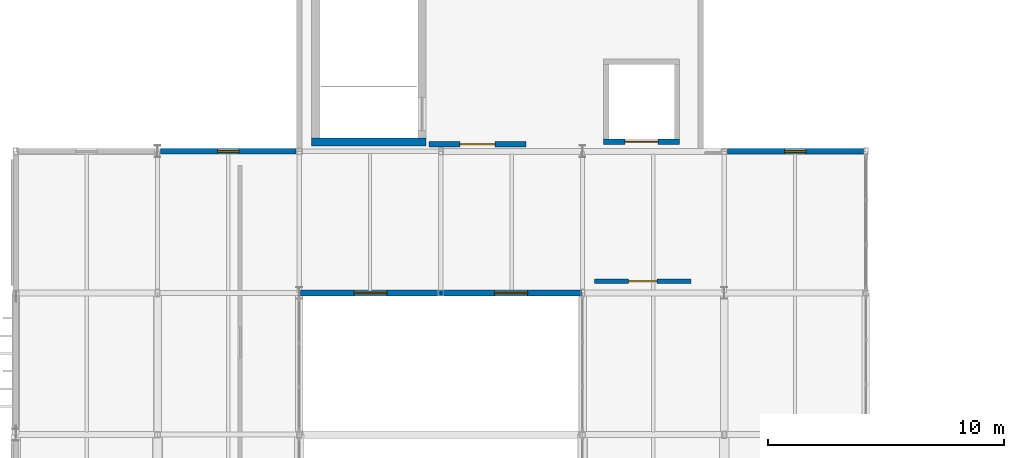
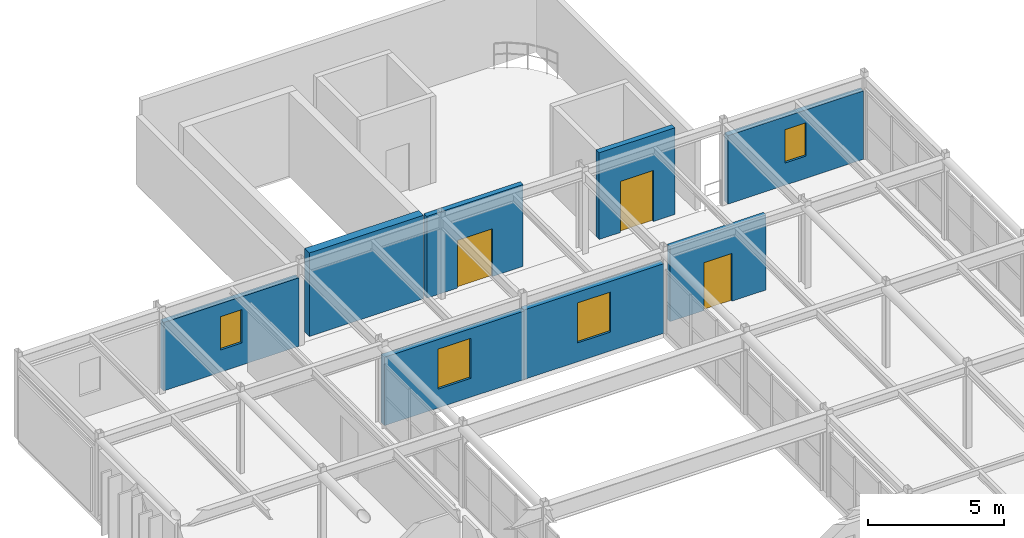
# One storey, part 48 of 63: 8 walls, 4 windows, 3 doors, 7 openings.
"""IFC4 building model written with IfcOpenShell, lengths in metres."""

from ifc_helpers import new_model, si_unit, direction, frame, frame_2d, origin, place, context, subcontext, project, spatial, rectangle, extrude, material, layer, layer_set, type_object, element, fill, save


model = new_model("IFC4")

# Units and contexts
model_context = context("Model", 3, precision=1e-05, world=origin(), true_north=direction((0.0, 1.0)))
body_context = subcontext(model_context, "Body", "Model", "MODEL_VIEW")
ifc_project = project(units=[si_unit("LENGTHUNIT", "METRE"), si_unit("AREAUNIT", "SQUARE_METRE"), si_unit("VOLUMEUNIT", "CUBIC_METRE"), si_unit("PLANEANGLEUNIT", "RADIAN"), si_unit("MASSUNIT", "GRAM", prefix="KILO")], contexts=[model_context])

# Site, building, storey
site_placement = place(None, origin())
site = spatial("IfcSite", under=ifc_project, at=site_placement, CompositionType="ELEMENT")
building_placement = place(site_placement, origin())
building = spatial("IfcBuilding", under=site, at=building_placement, Name="Varnakota Square Police Headquarters", CompositionType="ELEMENT")
storey_placement = place(building_placement, frame((0.0, 0.0, 22.199951171875)))
storey = spatial("IfcBuildingStorey", under=building, at=storey_placement, Name="L05", CompositionType="ELEMENT", Elevation=22.199951171875)

# Wall, opening, door
ifc_material_1 = material(Name="Concrete M40", Category="concrete")
ifc_layer_1 = layer(ifc_material_1, 0.22998046875, Name="Concrete M40")
ifc_layer_set_1 = layer_set([ifc_layer_1], Name="Concrete M40")
wall_type_1 = type_object("IfcWallType", Name="WL-CORE-230", PredefinedType="SHEAR", material=ifc_layer_set_1)
wall_1_placement = place(storey_placement, frame((30.885009765625, 63.39990234375, 0.0), z_axis=(0.0, 0.0, 1.0), x_axis=(1.0, 0.0, 0.0)))
wall_1 = element("IfcWall", 1, at=wall_1_placement, inside=storey, type_object=wall_type_1, Name="Lift shaft wall LF-G1 L05 S", PredefinedType="SHEAR", context=body_context, shape_type="SweptSolid", body=[
    extrude(rectangle(XDim=3.22998046875, YDim=0.22998046875, at=frame_2d((1.614990234375, 0.0))), origin(), (0.0, 0.0, 1.0), 3.900146484375),
])
opening_1_placement = place(wall_1_placement, frame((0.9150390625, 0.0, 0.0)))
opening_1 = element("IfcOpeningElement", 2, at=opening_1_placement, cuts=wall_1, Name="Opening LD050", PredefinedType="OPENING", context=body_context, shape_type="SweptSolid", body=[
    extrude(rectangle(XDim=1.39990234375, YDim=2.300048828125, at=frame_2d((0.699951171875, 1.14990234375))), frame((0.0, 0.125, 0.0), z_axis=(0.0, -1.0, 0.0), x_axis=(1.0, 0.0, 0.0)), (0.0, 0.0, 1.0), 0.25),
])
ifc_material_2 = material(Name="Heavy-Gauge Brushed Stainless Steel", Category="steel")
door_type_1 = type_object("IfcDoorType", Name="DR-LD-GDS", OperationType="NOTDEFINED", PredefinedType="DOOR", material=ifc_material_2)
door_1_placement = place(opening_1_placement, origin())
door_1 = element("IfcDoor", 3, at=door_1_placement, inside=storey, type_object=door_type_1, Name="Lift sliding landing door LD050", OperationType="SLIDING_TO_LEFT", OverallHeight=2.300048828125, OverallWidth=1.39990234375, PredefinedType="DOOR", context=body_context, shape_type="SweptSolid", body=[
    extrude(rectangle(XDim=1.39990234375, YDim=2.300048828125, at=frame_2d((0.699951171875, 1.14990234375))), frame((0.0, 0.02490234375, 0.0), z_axis=(0.0, -1.0, 0.0), x_axis=(1.0, 0.0, 0.0)), (0.0, 0.0, 1.0), 0.050048828125),
])
fill(opening_1, door_1)

# Wall
ifc_material_3 = material(Name="Concrete M50", Category="concrete")
ifc_layer_2 = layer(ifc_material_3, 0.35009765625, Name="Concrete M50")
ifc_layer_set_2 = layer_set([ifc_layer_2], Name="Concrete M50")
wall_type_2 = type_object("IfcWallType", Name="WL-CORE-350", PredefinedType="SHEAR", material=ifc_layer_set_2)
wall_2_placement = place(storey_placement, frame((18.52490234375, 63.39990234375, 0.0), z_axis=(0.0, 0.0, 1.0), x_axis=(1.0, 0.0, 0.0)))
element("IfcWall", 4, at=wall_2_placement, inside=storey, type_object=wall_type_2, Name="Core C5 shear wall L05 S", PredefinedType="SHEAR", context=body_context, shape_type="SweptSolid", body=[
    extrude(rectangle(XDim=4.85009765625, YDim=0.35009765625, at=frame_2d((2.425048828125, 0.0))), origin(), (0.0, 0.0, 1.0), 3.760009765625),
])

# Wall, opening, window
ifc_layer_3 = layer(ifc_material_1, 0.239990234375, Name="Concrete M40")
ifc_layer_set_3 = layer_set([ifc_layer_3], Name="Concrete M40")
wall_type_3 = type_object("IfcWallType", Name="WL-EXT-240", PredefinedType="SOLIDWALL", material=ifc_layer_set_3)
wall_3_placement = place(storey_placement, frame((12.12890625, 63.0, 0.0), z_axis=(0.0, 0.0, 1.0), x_axis=(1.0, 0.0, 0.0)))
wall_3 = element("IfcWall", 5, at=wall_3_placement, inside=storey, type_object=wall_type_3, Name="Exterior wall EW-L05-0464", PredefinedType="SOLIDWALL", context=body_context, shape_type="SweptSolid", body=[
    extrude(rectangle(XDim=5.7421875, YDim=0.239990234375, at=frame_2d((2.87109375, 0.0))), origin(), (0.0, 0.0, 1.0), 3.080078125),
])
opening_2_placement = place(wall_3_placement, frame((2.4208984375, 0.0, 1.0)))
opening_2 = element("IfcOpeningElement", 6, at=opening_2_placement, cuts=wall_3, Name="Opening W09", PredefinedType="OPENING", context=body_context, shape_type="SweptSolid", body=[
    extrude(rectangle(XDim=0.89990234375, YDim=1.5, at=frame_2d((0.449951171875, 0.75))), frame((0.0, 0.1298828125, 0.0), z_axis=(0.0, -1.0, 0.0), x_axis=(1.0, 0.0, 0.0)), (0.0, 0.0, 1.0), 0.260009765625),
])
ifc_material_4 = material(Name="Thermally Broken Aluminium Double-Glazed Window", Category="aluminium")
window_type_1 = type_object("IfcWindowType", Name="WIN-09", PartitioningType="SINGLE_PANEL", PredefinedType="WINDOW", material=ifc_material_4)
window_1_placement = place(opening_2_placement, origin())
window_1 = element("IfcWindow", 7, at=window_1_placement, inside=storey, type_object=window_type_1, Name="Window WN-L05-0109", OverallHeight=1.5, OverallWidth=0.89990234375, PartitioningType="SINGLE_PANEL", PredefinedType="WINDOW", context=body_context, shape_type="SweptSolid", body=[
    extrude(rectangle(XDim=0.89990234375, YDim=1.5, at=frame_2d((0.449951171875, 0.75))), frame((0.0, 0.030029296875, 0.0), z_axis=(0.0, -1.0, 0.0), x_axis=(1.0, 0.0, 0.0)), (0.0, 0.0, 1.0), 0.06005859375),
])
fill(opening_2, window_1)

wall_4_placement = place(storey_placement, frame((36.12890625, 63.0, 0.0), z_axis=(0.0, 0.0, 1.0), x_axis=(1.0, 0.0, 0.0)))
wall_4 = element("IfcWall", 8, at=wall_4_placement, inside=storey, type_object=wall_type_3, Name="Exterior wall EW-L05-0465", PredefinedType="SOLIDWALL", context=body_context, shape_type="SweptSolid", body=[
    extrude(rectangle(XDim=5.76708984375, YDim=0.239990234375, at=frame_2d((2.883544921875, 0.0))), origin(), (0.0, 0.0, 1.0), 3.080078125),
])
opening_3_placement = place(wall_4_placement, frame((2.43359375, 0.0, 1.0)))
opening_3 = element("IfcOpeningElement", 9, at=opening_3_placement, cuts=wall_4, Name="Opening W09", PredefinedType="OPENING", context=body_context, shape_type="SweptSolid", body=[
    extrude(rectangle(XDim=0.89990234375, YDim=1.5, at=frame_2d((0.449951171875, 0.75))), frame((0.0, 0.1298828125, 0.0), z_axis=(0.0, -1.0, 0.0), x_axis=(1.0, 0.0, 0.0)), (0.0, 0.0, 1.0), 0.260009765625),
])
window_2_placement = place(opening_3_placement, origin())
window_2 = element("IfcWindow", 10, at=window_2_placement, inside=storey, type_object=window_type_1, Name="Window WN-L05-0110", OverallHeight=1.5, OverallWidth=0.89990234375, PartitioningType="SINGLE_PANEL", PredefinedType="WINDOW", context=body_context, shape_type="SweptSolid", body=[
    extrude(rectangle(XDim=0.89990234375, YDim=1.5, at=frame_2d((0.449951171875, 0.75))), frame((0.0, 0.030029296875, 0.0), z_axis=(0.0, -1.0, 0.0), x_axis=(1.0, 0.0, 0.0)), (0.0, 0.0, 1.0), 0.06005859375),
])
fill(opening_3, window_2)

wall_5_placement = place(storey_placement, frame((18.050048828125, 57.0, 0.0), z_axis=(0.0, 0.0, 1.0), x_axis=(1.0, 0.0, 0.0)))
wall_5 = element("IfcWall", 11, at=wall_5_placement, inside=storey, type_object=wall_type_3, Name="Court exterior wall EW-L05-0467", PredefinedType="SOLIDWALL", context=body_context, shape_type="SweptSolid", body=[
    extrude(rectangle(XDim=5.949951171875, YDim=0.239990234375, at=frame_2d((2.97509765625, 0.0))), origin(), (0.0, 0.0, 1.0), 3.080078125),
])
opening_4_placement = place(wall_5_placement, frame((2.27490234375, 0.0, 0.85009765625)))
opening_4 = element("IfcOpeningElement", 12, at=opening_4_placement, cuts=wall_5, Name="Opening W16", PredefinedType="OPENING", context=body_context, shape_type="SweptSolid", body=[
    extrude(rectangle(XDim=1.39990234375, YDim=1.800048828125, at=frame_2d((0.699951171875, 0.89990234375))), frame((0.0, 0.1298828125, 0.0), z_axis=(0.0, -1.0, 0.0), x_axis=(1.0, 0.0, 0.0)), (0.0, 0.0, 1.0), 0.260009765625),
])
window_type_2 = type_object("IfcWindowType", Name="WIN-16", PartitioningType="SINGLE_PANEL", PredefinedType="WINDOW", material=ifc_material_4)
window_3_placement = place(opening_4_placement, origin())
window_3 = element("IfcWindow", 13, at=window_3_placement, inside=storey, type_object=window_type_2, Name="Window WN-L05-0112", OverallHeight=1.800048828125, OverallWidth=1.39990234375, PartitioningType="SINGLE_PANEL", PredefinedType="WINDOW", context=body_context, shape_type="SweptSolid", body=[
    extrude(rectangle(XDim=1.39990234375, YDim=1.800048828125, at=frame_2d((0.699951171875, 0.89990234375))), frame((0.0, 0.030029296875, 0.0), z_axis=(0.0, -1.0, 0.0), x_axis=(1.0, 0.0, 0.0)), (0.0, 0.0, 1.0), 0.06005859375),
])
fill(opening_4, window_3)

wall_6_placement = place(storey_placement, frame((24.0, 57.0, 0.0), z_axis=(0.0, 0.0, 1.0), x_axis=(1.0, 0.0, 0.0)))
wall_6 = element("IfcWall", 14, at=wall_6_placement, inside=storey, type_object=wall_type_3, Name="Court exterior wall EW-L05-0469", PredefinedType="SOLIDWALL", context=body_context, shape_type="SweptSolid", body=[
    extrude(rectangle(XDim=5.949951171875, YDim=0.239990234375, at=frame_2d((2.97509765625, 0.0))), origin(), (0.0, 0.0, 1.0), 3.130126953125),
])
opening_5_placement = place(wall_6_placement, frame((2.27490234375, 0.0, 0.85009765625)))
opening_5 = element("IfcOpeningElement", 15, at=opening_5_placement, cuts=wall_6, Name="Opening W16", PredefinedType="OPENING", context=body_context, shape_type="SweptSolid", body=[
    extrude(rectangle(XDim=1.39990234375, YDim=1.800048828125, at=frame_2d((0.699951171875, 0.89990234375))), frame((0.0, 0.1298828125, 0.0), z_axis=(0.0, -1.0, 0.0), x_axis=(1.0, 0.0, 0.0)), (0.0, 0.0, 1.0), 0.260009765625),
])
window_4_placement = place(opening_5_placement, origin())
window_4 = element("IfcWindow", 16, at=window_4_placement, inside=storey, type_object=window_type_2, Name="Window WN-L05-0114", OverallHeight=1.800048828125, OverallWidth=1.39990234375, PartitioningType="SINGLE_PANEL", PredefinedType="WINDOW", context=body_context, shape_type="SweptSolid", body=[
    extrude(rectangle(XDim=1.39990234375, YDim=1.800048828125, at=frame_2d((0.699951171875, 0.89990234375))), frame((0.0, 0.030029296875, 0.0), z_axis=(0.0, -1.0, 0.0), x_axis=(1.0, 0.0, 0.0)), (0.0, 0.0, 1.0), 0.06005859375),
])
fill(opening_5, window_4)

# Wall, opening, door
ifc_material_5 = material(Name="Autoclaved Aerated Concrete Blockwork", Category="masonry")
ifc_layer_4 = layer(ifc_material_5, 0.18994140625, Name="Autoclaved Aerated Concrete Blockwork")
ifc_layer_set_4 = layer_set([ifc_layer_4], Name="Autoclaved Aerated Concrete Blockwork")
wall_type_4 = type_object("IfcWallType", Name="WL-PRT-190F", PredefinedType="PARTITIONING", material=ifc_layer_set_4)
wall_7_placement = place(storey_placement, frame((30.5, 57.5, 0.0), z_axis=(0.0, 0.0, 1.0), x_axis=(1.0, 0.0, 0.0)))
wall_7 = element("IfcWall", 17, at=wall_7_placement, inside=storey, type_object=wall_type_4, Name="Interior partition PW-L05-0225 (Serology and Biology Forensic Laboratory)", PredefinedType="PARTITIONING", context=body_context, shape_type="SweptSolid", body=[
    extrude(rectangle(XDim=4.10009765625, YDim=0.18994140625, at=frame_2d((2.050048828125, 0.0))), origin(), (0.0, 0.0, 1.0), 3.380126953125),
])
opening_6_placement = place(wall_7_placement, frame((1.449951171875, 0.0, 0.0)))
opening_6 = element("IfcOpeningElement", 18, at=opening_6_placement, cuts=wall_7, Name="Opening D279", PredefinedType="OPENING", context=body_context, shape_type="SweptSolid", body=[
    extrude(rectangle(XDim=1.199951171875, YDim=2.14990234375, at=frame_2d((0.60009765625, 1.074951171875))), frame((0.0, 0.10498046875, 0.0), z_axis=(0.0, -1.0, 0.0), x_axis=(1.0, 0.0, 0.0)), (0.0, 0.0, 1.0), 0.2099609375),
])
ifc_material_6 = material(Name="Phenolic-Faced Fire-Rated Composite")
door_type_2 = type_object("IfcDoorType", Name="DR-LAB-120", OperationType="NOTDEFINED", PredefinedType="DOOR", material=ifc_material_6)
door_2_placement = place(opening_6_placement, origin())
door_2 = element("IfcDoor", 19, at=door_2_placement, inside=storey, type_object=door_type_2, Name="Room door D279 (Serology and Biology Forensic Laboratory)", OperationType="SINGLE_SWING_RIGHT", OverallHeight=2.14990234375, OverallWidth=1.199951171875, PredefinedType="DOOR", context=body_context, shape_type="SweptSolid", body=[
    extrude(rectangle(XDim=1.199951171875, YDim=2.14990234375, at=frame_2d((0.60009765625, 1.074951171875))), frame((0.0, 0.02490234375, 0.0), z_axis=(0.0, -1.0, 0.0), x_axis=(1.0, 0.0, 0.0)), (0.0, 0.0, 1.0), 0.050048828125),
])
fill(opening_6, door_2)

ifc_layer_5 = layer(ifc_material_1, 0.215087890625, Name="Concrete M40")
ifc_layer_set_5 = layer_set([ifc_layer_5], Name="Concrete M40")
wall_type_5 = type_object("IfcWallType", Name="WL-PRT-215F", PredefinedType="PARTITIONING", material=ifc_layer_set_5)
wall_8_placement = place(storey_placement, frame((23.5, 63.300048828125, 0.0), z_axis=(0.0, 0.0, 1.0), x_axis=(1.0, 0.0, 0.0)))
wall_8 = element("IfcWall", 20, at=wall_8_placement, inside=storey, type_object=wall_type_5, Name="Core C5 lobby fire partition L05", PredefinedType="PARTITIONING", context=body_context, shape_type="SweptSolid", body=[
    extrude(rectangle(XDim=4.10009765625, YDim=0.215087890625, at=frame_2d((2.050048828125, 0.0))), origin(), (0.0, 0.0, 1.0), 3.679931640625),
])
opening_7_placement = place(wall_8_placement, frame((1.300048828125, 0.0, 0.0)))
opening_7 = element("IfcOpeningElement", 21, at=opening_7_placement, cuts=wall_8, Name="Opening FD090", PredefinedType="OPENING", context=body_context, shape_type="SweptSolid", body=[
    extrude(rectangle(XDim=1.5, YDim=2.14990234375, at=frame_2d((0.75, 1.074951171875))), frame((0.0, 0.117431640625, 0.0), z_axis=(0.0, -1.0, 0.0), x_axis=(1.0, 0.0, 0.0)), (0.0, 0.0, 1.0), 0.235107421875),
])
ifc_material_7 = material(Name="Smoke-Sealed Galvanised Acoustic Steel", Category="steel")
door_type_3 = type_object("IfcDoorType", Name="DR-FFL-150", OperationType="NOTDEFINED", PredefinedType="DOOR", material=ifc_material_7)
door_3_placement = place(opening_7_placement, origin())
door_3 = element("IfcDoor", 22, at=door_3_placement, inside=storey, type_object=door_type_3, Name="Core lobby smoke door FD090", OperationType="DOUBLE_DOOR_SINGLE_SWING", OverallHeight=2.14990234375, OverallWidth=1.5, PredefinedType="DOOR", context=body_context, shape_type="SweptSolid", body=[
    extrude(rectangle(XDim=1.5, YDim=2.14990234375, at=frame_2d((0.75, 1.074951171875))), frame((0.0, 0.02490234375, 0.0), z_axis=(0.0, -1.0, 0.0), x_axis=(1.0, 0.0, 0.0)), (0.0, 0.0, 1.0), 0.050048828125),
])
fill(opening_7, door_3)

save(model, "model.ifc")
